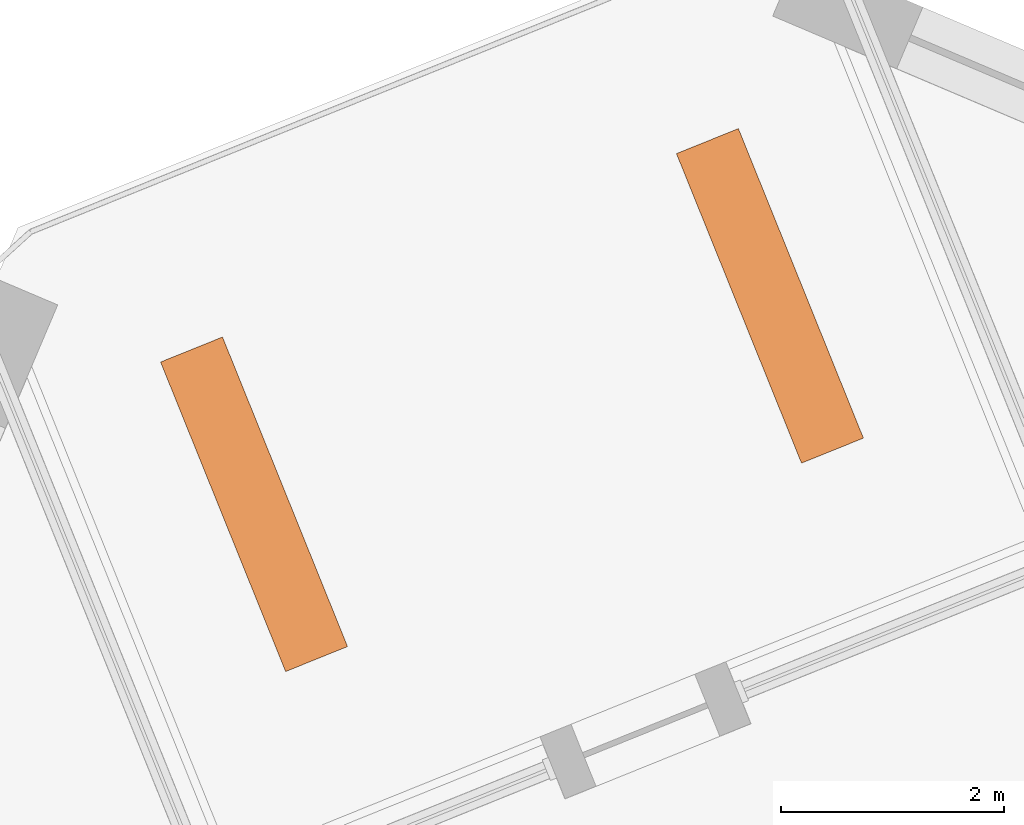
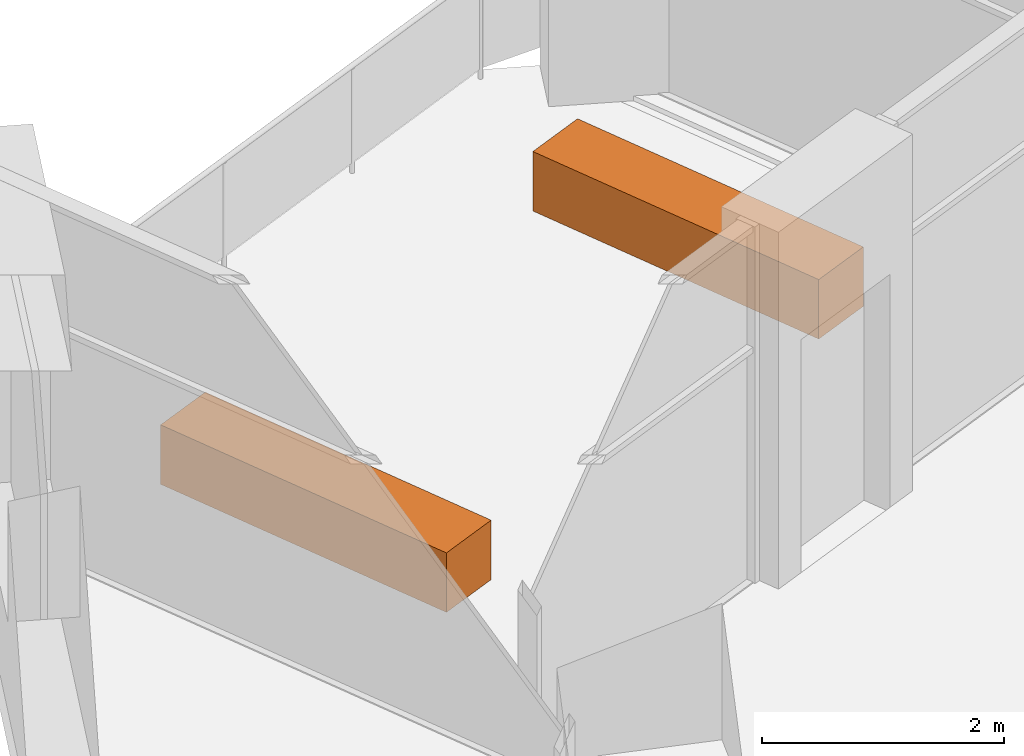
# One storey, part 13 of 13: 2 proxies.
"""IFC4 building model written with IfcOpenShell, lengths in metres."""

from ifc_helpers import new_model, si_unit, direction, frame, origin, origin_2d, place, context, subcontext, project, spatial, rectangle, extrude, element, save


model = new_model("IFC4")

# Units and contexts
model_context = context("Model", 3, precision=1e-05, world=origin(), true_north=direction((0.0, 1.0)))
body_context = subcontext(model_context, "Body", "Model", "MODEL_VIEW")
ifc_project = project(units=[si_unit("LENGTHUNIT", "METRE"), si_unit("AREAUNIT", "SQUARE_METRE"), si_unit("VOLUMEUNIT", "CUBIC_METRE"), si_unit("PLANEANGLEUNIT", "RADIAN"), si_unit("MASSUNIT", "GRAM", prefix="KILO")], contexts=[model_context])

# Site, building, storey
site_placement = place(None, origin())
site = spatial("IfcSite", under=ifc_project, at=site_placement, CompositionType="ELEMENT")
building_placement = place(site_placement, origin())
building = spatial("IfcBuilding", under=site, at=building_placement, Name="Dilmun Exchange Tower", CompositionType="ELEMENT")
storey_placement = place(building_placement, frame((0.0, 0.0, 296.5)))
storey = spatial("IfcBuildingStorey", under=building, at=storey_placement, Name="L70", CompositionType="ELEMENT", Elevation=296.5)

# Proxies
for number, where, z_axis, x_axis, name in (
    (1, (-8.327880859375, 32.948974609375, 0.0), (0.0, 0.0, 1.0), (-0.374606593416, 0.927183854567, 0.0), "PLANTER Ghaf tree L70.1"),
    (2, (-12.9638671875, 31.075927734375, 0.0), (0.0, 0.0, 1.0), (-0.374606593416, 0.927183854567, 0.0), "PLANTER Ghaf tree L70.2"),
):
    element("IfcBuildingElementProxy", number, at=place(storey_placement, frame(where, z_axis=z_axis, x_axis=x_axis)), inside=storey, Name=name, ObjectType="PLANTER", PredefinedType="USERDEFINED", context=body_context, shape_type="SweptSolid", body=[
        extrude(rectangle(XDim=3.0, YDim=0.60009765625, at=origin_2d()), origin(), (0.0, 0.0, 1.0), 0.60009765625),
    ])

save(model, "model.ifc")
